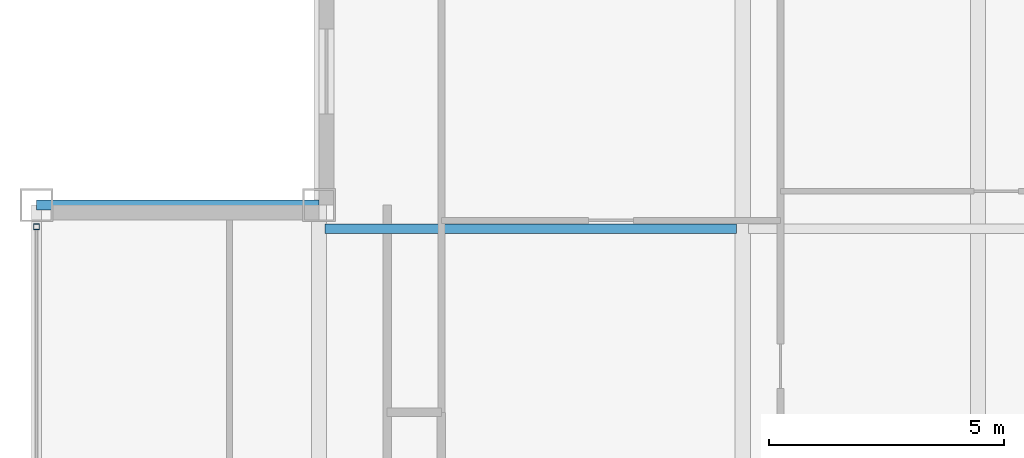
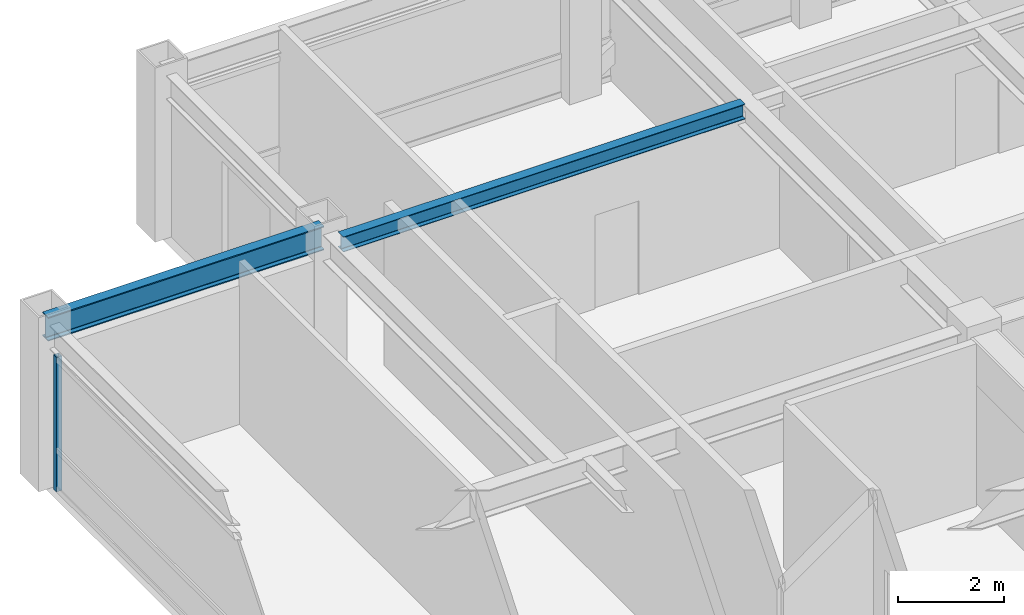
# One storey, part 14 of 29: 2 beams, 1 member, 1 element without a shape of its own.
"""IFC4 building model written with IfcOpenShell, lengths in metres."""

import ifcopenshell
import ifcopenshell.guid

model = None  # the IFC model being written
_history = None  # IfcOwnerHistory: only IFC2X3 demands one
_inside = {}  # id of a spatial element -> (the spatial element, [elements in it])
_under = {}  # id of a project, library or spatial element -> (it, [spatial elements below it])
_declared = {}  # id of a project -> (the project, [libraries it declares])
_typed = {}  # id of a type object -> (the type object, [elements of that type])
_made_of = {}  # id of a material, layer set ... -> (it, [elements and type objects made of it])


def new_model(schema):
    """Start an empty IFC model of exactly this schema.

    Asked for "IFC4X3", IfcOpenShell would pick the latest addendum, in which some entities
    have other attributes; the version numbers below select the first issue.
    IFC2X3 requires an IfcOwnerHistory on every rooted entity: one is made here for all.
    """
    global model, _history
    if schema == "IFC4X3":
        model = ifcopenshell.file(schema_version=(4, 3, 0, 0))
    else:
        model = ifcopenshell.file(schema=schema)
    _inside.clear()
    _under.clear()
    _declared.clear()
    _typed.clear()
    _made_of.clear()
    _history = None
    if model.schema == "IFC2X3":
        org = make("IfcOrganization", Name="unknown")
        user = make(
            "IfcPersonAndOrganization",
            ThePerson=make("IfcPerson", FamilyName="unknown"),
            TheOrganization=org,
        )
        app = make(
            "IfcApplication",
            ApplicationDeveloper=org,
            Version="unknown",
            ApplicationFullName="unknown",
            ApplicationIdentifier="unknown",
        )
        _history = make(
            "IfcOwnerHistory",
            OwningUser=user,
            OwningApplication=app,
            ChangeAction="ADDED",
            CreationDate=0,
        )
    return model


def make(cls, **values):
    """One entity of the class cls with the attributes given. An attribute that is None is left unset."""
    return model.create_entity(
        cls, **{name: value for name, value in values.items() if value is not None}
    )


def rooted(cls, **values):
    """An entity with a GlobalId (a new one), such as an element, a storey or a relation."""
    return make(cls, GlobalId=ifcopenshell.guid.new(), OwnerHistory=_history, **values)


def si_unit(unit_type, name, prefix=None):
    """IfcSIUnit, for example si_unit("LENGTHUNIT", "METRE", prefix="MILLI")."""
    return make("IfcSIUnit", UnitType=unit_type, Prefix=prefix, Name=name)


def assignment(units):
    """IfcUnitAssignment: the units of a project."""
    return None if units is None else make("IfcUnitAssignment", Units=units)


def point(xyz):
    """IfcCartesianPoint."""
    return None if xyz is None else make("IfcCartesianPoint", Coordinates=xyz)


def direction(xyz):
    """IfcDirection."""
    return None if xyz is None else make("IfcDirection", DirectionRatios=xyz)


def frame(location, z_axis=None, x_axis=None):
    """IfcAxis2Placement3D, a coordinate frame: its origin and axes. An axis left out is left unset."""
    return make(
        "IfcAxis2Placement3D",
        Location=point(location),
        Axis=direction(z_axis),
        RefDirection=direction(x_axis),
    )


def frame_2d(location, x_axis=None):
    """IfcAxis2Placement2D, a coordinate frame in the plane: its origin and x axis."""
    return make(
        "IfcAxis2Placement2D", Location=point(location), RefDirection=direction(x_axis)
    )


def origin():
    """The frame at (0, 0, 0) with its axes left unset."""
    return frame((0.0, 0.0, 0.0))


def origin_2d():
    """The frame at (0, 0) in the plane with its x axis left unset."""
    return frame_2d((0.0, 0.0))


def place(relative_to, where):
    """IfcLocalPlacement: puts the frame where relative to a parent placement (None: the world)."""
    return make(
        "IfcLocalPlacement", PlacementRelTo=relative_to, RelativePlacement=where
    )


def context(
    kind, dimensions, precision=None, world=None, true_north=None, identifier=None
):
    """IfcGeometricRepresentationContext, for example the 3D "Model" context."""
    return make(
        "IfcGeometricRepresentationContext",
        ContextIdentifier=identifier,
        ContextType=kind,
        CoordinateSpaceDimension=dimensions,
        Precision=precision,
        WorldCoordinateSystem=world,
        TrueNorth=true_north,
    )


def subcontext(parent, identifier, kind, view, scale=None):
    """IfcGeometricRepresentationSubContext, for example "Body" below "Model"."""
    return make(
        "IfcGeometricRepresentationSubContext",
        ContextIdentifier=identifier,
        ContextType=kind,
        ParentContext=parent,
        TargetScale=scale,
        TargetView=view,
    )


def project(units=None, contexts=None):
    """IfcProject with its units and contexts."""
    return rooted(
        "IfcProject",
        Name="project",
        RepresentationContexts=contexts,
        UnitsInContext=assignment(units),
    )


def spatial(cls, under=None, at=None, **own):
    """A site, building, storey or space (cls), placed at a placement, below another one or the project."""
    s = rooted(cls, ObjectPlacement=at, **own)
    if under is not None:
        _under.setdefault(under.id(), (under, []))[1].append(s)
    return s


def profile(cls, at=None, kind="AREA", **sizes):
    """A parametric profile (cls). Its sizes go by their IFC names, for example OverallWidth=200.0."""
    return make(cls, ProfileType=kind, Position=at, **sizes)


def hollow_rectangle(**sizes):
    """IfcRectangleHollowProfileDef."""
    return profile("IfcRectangleHollowProfileDef", **sizes)


def i_section(**sizes):
    """IfcIShapeProfileDef."""
    return profile("IfcIShapeProfileDef", **sizes)


def extrude(swept, where, along, depth):
    """IfcExtrudedAreaSolid: the profile swept, set in the frame where, extruded along a direction by depth."""
    return make(
        "IfcExtrudedAreaSolid",
        SweptArea=swept,
        Position=where,
        ExtrudedDirection=direction(along),
        Depth=depth,
    )


def shape(context_of_items, identifier, shape_type, items):
    """IfcShapeRepresentation: the items that make up one representation, for example the "Body"."""
    return make(
        "IfcShapeRepresentation",
        ContextOfItems=context_of_items,
        RepresentationIdentifier=identifier,
        RepresentationType=shape_type,
        Items=items,
    )


def source(mapping_origin, context_of_items, identifier, shape_type, items):
    """IfcRepresentationMap: a shape defined once, which mapped items show again and again."""
    return make(
        "IfcRepresentationMap",
        MappingOrigin=mapping_origin,
        MappedRepresentation=shape(context_of_items, identifier, shape_type, items),
    )


def transform(
    local_origin,
    x_axis=None,
    y_axis=None,
    z_axis=None,
    scale=None,
    scale2=None,
    scale3=None,
    uniform=True,
):
    """IfcCartesianTransformationOperator3D, or its non-uniform kind. x_axis, y_axis, z_axis: its Axis1, 2, 3."""
    if uniform:
        return make(
            "IfcCartesianTransformationOperator3D",
            Axis1=direction(x_axis),
            Axis2=direction(y_axis),
            LocalOrigin=point(local_origin),
            Scale=scale,
            Axis3=direction(z_axis),
        )
    return make(
        "IfcCartesianTransformationOperator3DnonUniform",
        Axis1=direction(x_axis),
        Axis2=direction(y_axis),
        LocalOrigin=point(local_origin),
        Scale=scale,
        Axis3=direction(z_axis),
        Scale2=scale2,
        Scale3=scale3,
    )


def mapped(mapping_source, mapping_target):
    """IfcMappedItem: shows the shape of a source again, moved by a transform."""
    return make(
        "IfcMappedItem", MappingSource=mapping_source, MappingTarget=mapping_target
    )


def material(Name=None, Category=None):
    """IfcMaterial."""
    return make("IfcMaterial", Name=Name, Category=Category)


def material_profile(
    of_material, cross_section, Name=None, Category=None, Priority=None
):
    """IfcMaterialProfile: a cross section and its material."""
    return make(
        "IfcMaterialProfile",
        Name=Name,
        Material=of_material,
        Profile=cross_section,
        Priority=Priority,
        Category=Category,
    )


def profile_set(profiles, Name=None, composite=None):
    """IfcMaterialProfileSet."""
    return make(
        "IfcMaterialProfileSet",
        Name=Name,
        MaterialProfiles=profiles,
        CompositeProfile=composite,
    )


def made_of(thing, what):
    """Note that an element or type object is made of a material, layer set ...; save() writes the relation."""
    if what is not None:
        _made_of.setdefault(what.id(), (what, []))[1].append(thing)
    return thing


def type_object(cls, material=None, **own):
    """A type object (cls), such as IfcWallType, which elements share."""
    return made_of(rooted(cls, **own), material)


def element(
    cls,
    number,
    at=None,
    inside=None,
    cuts=None,
    type_object=None,
    material=None,
    context=None,
    identifier="Body",
    shape_type=None,
    held_by="IfcProductDefinitionShape",
    body=None,
    shapes=None,
    **own,
):
    """One element of the class cls, such as IfcWall. Its Tag is "e" and its number.

    at: its placement. inside: the storey or other place that contains it. cuts: it is an
    opening in that element (IfcRelVoidsElement). A single representation is given by context,
    identifier, shape_type and body (its items); several are given by shapes. held_by: the class
    of the entity that holds the representations. save() writes the other relations.
    """
    e = rooted(cls, Tag="e%d" % number, ObjectPlacement=at, **own)
    if body is not None:
        shapes = [shape(context, identifier, shape_type, body)]
    if shapes is not None:
        e.Representation = make(held_by, Representations=shapes)
    if inside is not None:
        _inside.setdefault(inside.id(), (inside, []))[1].append(e)
    if cuts is not None:
        rooted(
            "IfcRelVoidsElement", RelatingBuildingElement=cuts, RelatedOpeningElement=e
        )
    if type_object is not None:
        _typed.setdefault(type_object.id(), (type_object, []))[1].append(e)
    return made_of(e, material)


def aggregate(whole, parts):
    """IfcRelAggregates: a whole, such as a stair, and the parts it consists of."""
    return rooted("IfcRelAggregates", RelatingObject=whole, RelatedObjects=parts)


def save(model, path):
    """Write the relations noted so far, then the file.

    IfcRelAggregates (storeys below a building ...), IfcRelContainedInSpatialStructure (elements
    in a storey), IfcRelDefinesByType, IfcRelAssociatesMaterial and IfcRelDeclares: one each for
    every whole, place, type object, material and project.
    """
    for whole, parts in _under.values():
        aggregate(whole, parts)
    for where, things in _inside.values():
        rooted(
            "IfcRelContainedInSpatialStructure",
            RelatedElements=things,
            RelatingStructure=where,
        )
    for kind, things in _typed.values():
        rooted("IfcRelDefinesByType", RelatedObjects=things, RelatingType=kind)
    for what, things in _made_of.values():
        rooted("IfcRelAssociatesMaterial", RelatedObjects=things, RelatingMaterial=what)
    for by, libraries in _declared.values():
        rooted("IfcRelDeclares", RelatingContext=by, RelatedDefinitions=libraries)
    model.write(path)


model = new_model("IFC4")

# Units and contexts
model_context = context("Model", 3, precision=1e-05, world=origin(), true_north=direction((0.0, 1.0)))
body_context = subcontext(model_context, "Body", "Model", "MODEL_VIEW")
ifc_project = project(units=[si_unit("LENGTHUNIT", "METRE"), si_unit("AREAUNIT", "SQUARE_METRE"), si_unit("VOLUMEUNIT", "CUBIC_METRE"), si_unit("PLANEANGLEUNIT", "RADIAN"), si_unit("MASSUNIT", "GRAM", prefix="KILO")], contexts=[model_context])

# Site, building, storey
site_placement = place(None, origin())
site = spatial("IfcSite", under=ifc_project, at=site_placement, CompositionType="ELEMENT")
building_placement = place(site_placement, origin())
building = spatial("IfcBuilding", under=site, at=building_placement, Name="Khorayat Bourse Tower", CompositionType="ELEMENT")
storey_placement = place(building_placement, frame((0.0, 0.0, 366.300048828125)))
storey = spatial("IfcBuildingStorey", under=building, at=storey_placement, Name="L87", CompositionType="ELEMENT", Elevation=366.300048828125)

# Beams
ifc_material_1 = material(Name="Steel ASTM A992 Grade 50", Category="steel")
ifc_material_profile_1 = material_profile(ifc_material_1, i_section(OverallWidth=0.214111328125, OverallDepth=0.549072265625, WebThickness=0.0146484375, FlangeThickness=0.023681640625, FilletRadius=0.013916015625, at=origin_2d()), Name="W530X138")
ifc_profile_set_1 = profile_set([ifc_material_profile_1], Name="Steel ASTM A992 Grade 50")
beam_type_1 = type_object("IfcBeamType", Name="BM-SPAN-530", PredefinedType="SPANDREL", material=ifc_profile_set_1)
shared_shape_1 = source(origin(), body_context, "Body", "SweptSolid", [
    extrude(i_section(OverallWidth=0.214111328125, OverallDepth=0.549072265625, WebThickness=0.0146484375, FlangeThickness=0.023681640625, FilletRadius=0.013916015625, at=origin_2d()), origin(), (0.0, 0.0, 1.0), 6.0),
])
beam_1_placement = place(storey_placement, frame((-26.0, 20.0, 3.46533203125), z_axis=(1.0, 0.0, 0.0), x_axis=(0.0, 1.0, 0.0)))
element("IfcBeam", 1, at=beam_1_placement, inside=storey, type_object=beam_type_1, Name="L87 BM-SPAN-530 BM-L87-SPN-047", PredefinedType="SPANDREL", context=body_context, shape_type="MappedRepresentation", body=[
    mapped(shared_shape_1, transform((0.0, 0.0, 0.0), scale=1.0)),
])
ifc_material_profile_2 = material_profile(ifc_material_1, i_section(OverallWidth=0.202880859375, OverallDepth=0.346923828125, WebThickness=0.0078125, FlangeThickness=0.013427734375, FilletRadius=0.010009765625, at=origin_2d()), Name="W360X64")
ifc_profile_set_2 = profile_set([ifc_material_profile_2], Name="Steel ASTM A992 Grade 50")
beam_type_2 = type_object("IfcBeamType", Name="BM-JOIST-360", PredefinedType="JOIST", material=ifc_profile_set_2)
shared_shape_2 = source(origin(), body_context, "Body", "SweptSolid", [
    extrude(i_section(OverallWidth=0.202880859375, OverallDepth=0.346923828125, WebThickness=0.0078125, FlangeThickness=0.013427734375, FilletRadius=0.010009765625, at=origin_2d()), origin(), (0.0, 0.0, 1.0), 8.740234375),
])
beam_2_placement = place(storey_placement, frame((-19.8701171875, 19.5, 3.56640625), z_axis=(1.0, 0.0, 0.0), x_axis=(0.0, 1.0, 0.0)))
element("IfcBeam", 2, at=beam_2_placement, inside=storey, type_object=beam_type_2, Name="L87 BM-JOIST-360 BM-L87-JSTX-083", PredefinedType="JOIST", context=body_context, shape_type="MappedRepresentation", body=[
    mapped(shared_shape_2, transform((0.0, 0.0, 0.0), scale=1.0)),
])

# Curtain wall, member
ifc_material_2 = material(Name="Aluminium EN AW-6063 T6", Category="aluminium")
curtain_wall_type = type_object("IfcCurtainWallType", Name="CW-SYS-04", PredefinedType="NOTDEFINED", material=ifc_material_2)
curtain_wall_placement = place(storey_placement, origin())
curtain_wall = element("IfcCurtainWall", 3, at=curtain_wall_placement, inside=storey, type_object=curtain_wall_type, Name="L87 Curtain Wall CW-L87-W1", PredefinedType="NOTDEFINED")
ifc_material_profile_3 = material_profile(ifc_material_2, hollow_rectangle(XDim=0.1201171875, YDim=0.1201171875, WallThickness=0.0048828125, at=origin_2d()), Name="ALU 120x120x5")
ifc_profile_set_3 = profile_set([ifc_material_profile_3], Name="Aluminium EN AW-6063 T6")
member_type = type_object("IfcMemberType", Name="CWM-VERT-120", PredefinedType="MULLION", material=ifc_profile_set_3)
shared_shape_3 = source(origin(), body_context, "Body", "SweptSolid", [
    extrude(hollow_rectangle(XDim=0.1201171875, YDim=0.1201171875, WallThickness=0.0048828125, at=origin_2d()), origin(), (0.0, 0.0, 1.0), 3.08984375),
])
member_placement = place(storey_placement, frame((-26.0, 19.5400390625, 0.0), z_axis=(0.0, 0.0, 1.0), x_axis=(-1.0, 0.0, 0.0)))
member = element("IfcMember", 4, at=member_placement, type_object=member_type, Name="CW-L87-W1 Vertical Mullion 3", PredefinedType="MULLION", context=body_context, shape_type="MappedRepresentation", body=[
    mapped(shared_shape_3, transform((0.0, 0.0, 0.0), scale=1.0)),
])
aggregate(curtain_wall, [member])

save(model, "model.ifc")
